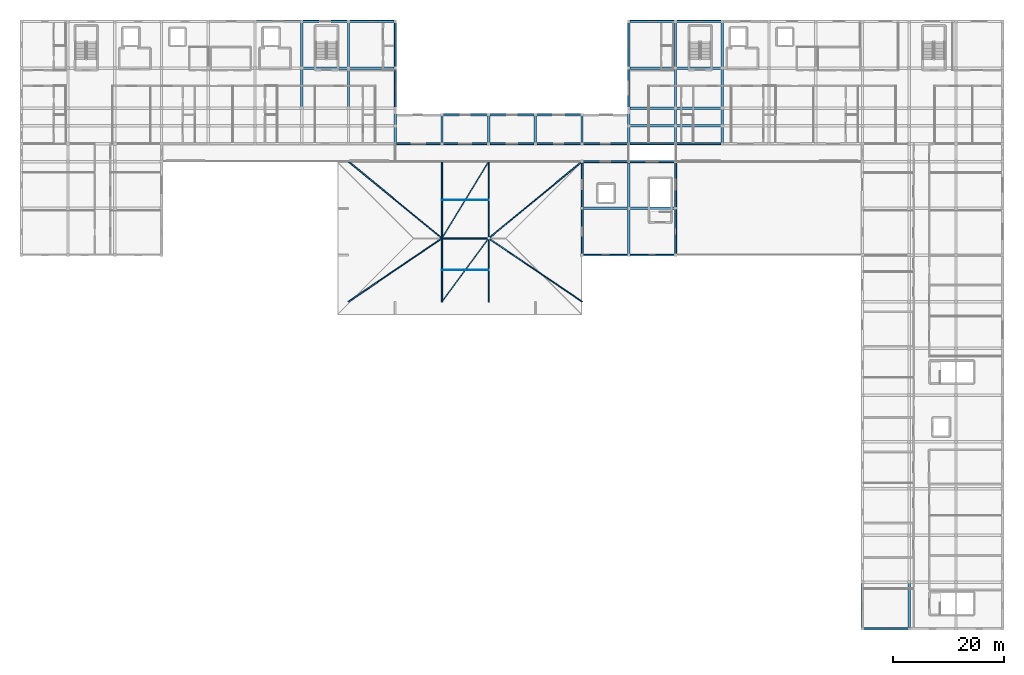
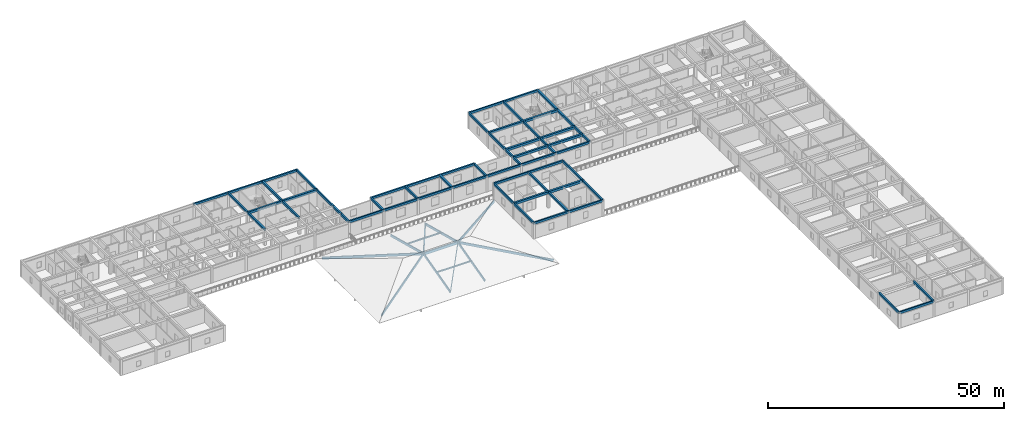
# One storey, part 4 of 28: 63 beams, 12 members.
"""IFC4 building model written with IfcOpenShell, lengths in metres."""

from ifc_helpers import new_model, si_unit, direction, frame, origin, origin_2d, place, context, subcontext, project, spatial, rectangle, hollow_rectangle, extrude, material, material_profile, profile_set, type_object, element, save


model = new_model("IFC4")

# Units and contexts
model_context = context("Model", 3, precision=1e-05, world=origin(), true_north=direction((0.0, 1.0)))
body_context = subcontext(model_context, "Body", "Model", "MODEL_VIEW")
ifc_project = project(units=[si_unit("LENGTHUNIT", "METRE"), si_unit("AREAUNIT", "SQUARE_METRE"), si_unit("VOLUMEUNIT", "CUBIC_METRE"), si_unit("PLANEANGLEUNIT", "RADIAN"), si_unit("MASSUNIT", "GRAM", prefix="KILO")], contexts=[model_context])

# Site, building, storey
site_placement = place(None, origin())
site = spatial("IfcSite", under=ifc_project, at=site_placement, CompositionType="ELEMENT")
building_placement = place(site_placement, origin())
building = spatial("IfcBuilding", under=site, at=building_placement, Name="Varncliffe General Hospital", CompositionType="ELEMENT")
storey_placement = place(building_placement, frame((0.0, 0.0, 24.60009765625)))
storey = spatial("IfcBuildingStorey", under=building, at=storey_placement, Name="L05", CompositionType="ELEMENT", Elevation=24.60009765625)

# Beams
ifc_material_1 = material(Name="Concrete C35/45 (CSA A23.1 35 MPa)", Category="concrete")
ifc_material_profile_1 = material_profile(ifc_material_1, rectangle(XDim=0.39990234375, YDim=0.550048828125, at=origin_2d()), Name="RC 400x550")
ifc_profile_set_1 = profile_set([ifc_material_profile_1], Name="Concrete C35/45 (CSA A23.1 35 MPa)")
beam_type_1 = type_object("IfcBeamType", Name="Beam B32 (Int RC 400x550)", PredefinedType="BEAM", material=ifc_profile_set_1)
beam_1_placement = place(storey_placement, frame((50.39990234375, 109.199951171875, 3.9248046875), z_axis=(0.0, 1.0, 0.0), x_axis=(-1.0, 0.0, 0.0)))
element("IfcBeam", 1, at=beam_1_placement, inside=storey, type_object=beam_type_1, Name="L05 Primary Beam B32-175", PredefinedType="BEAM", context=body_context, shape_type="SweptSolid", body=[
    extrude(rectangle(XDim=0.39990234375, YDim=0.550048828125, at=origin_2d()), origin(), (0.0, 0.0, 1.0), 7.199951171875),
])
beam_2_placement = place(storey_placement, frame((50.39990234375, 116.39990234375, 3.9248046875), z_axis=(0.0, 1.0, 0.0), x_axis=(-1.0, 0.0, 0.0)))
element("IfcBeam", 2, at=beam_2_placement, inside=storey, type_object=beam_type_1, Name="L05 Primary Beam B32-176", PredefinedType="BEAM", context=body_context, shape_type="SweptSolid", body=[
    extrude(rectangle(XDim=0.39990234375, YDim=0.550048828125, at=origin_2d()), origin(), (0.0, 0.0, 1.0), 8.400146484375),
])
beam_3_placement = place(storey_placement, frame((58.800048828125, 109.199951171875, 3.9248046875), z_axis=(0.0, 1.0, 0.0), x_axis=(-1.0, 0.0, 0.0)))
element("IfcBeam", 3, at=beam_3_placement, inside=storey, type_object=beam_type_1, Name="L05 Primary Beam B32-179", PredefinedType="BEAM", context=body_context, shape_type="SweptSolid", body=[
    extrude(rectangle(XDim=0.39990234375, YDim=0.550048828125, at=origin_2d()), origin(), (0.0, 0.0, 1.0), 7.199951171875),
])
beam_4_placement = place(storey_placement, frame((58.800048828125, 116.39990234375, 3.9248046875), z_axis=(0.0, 1.0, 0.0), x_axis=(-1.0, 0.0, 0.0)))
element("IfcBeam", 4, at=beam_4_placement, inside=storey, type_object=beam_type_1, Name="L05 Primary Beam B32-180", PredefinedType="BEAM", context=body_context, shape_type="SweptSolid", body=[
    extrude(rectangle(XDim=0.39990234375, YDim=0.550048828125, at=origin_2d()), origin(), (0.0, 0.0, 1.0), 8.400146484375),
])
for number, where, z_axis, x_axis, name in (
    (5, (67.199951171875, 102.800048828125, 3.9248046875), (0.0, 1.0, 0.0), (-1.0, 0.0, 0.0), "L05 Primary Beam B32-181"),
    (6, (67.199951171875, 106.0, 3.9248046875), (0.0, 1.0, 0.0), (-1.0, 0.0, 0.0), "L05 Primary Beam B32-182"),
):
    element("IfcBeam", number, at=place(storey_placement, frame(where, z_axis=z_axis, x_axis=x_axis)), inside=storey, type_object=beam_type_1, Name=name, PredefinedType="BEAM", context=body_context, shape_type="SweptSolid", body=[
        extrude(rectangle(XDim=0.39990234375, YDim=0.550048828125, at=origin_2d()), origin(), (0.0, 0.0, 1.0), 3.199951171875),
    ])
for number, where, z_axis, x_axis, name in (
    (7, (75.60009765625, 102.800048828125, 3.9248046875), (0.0, 1.0, 0.0), (-1.0, 0.0, 0.0), "L05 Primary Beam B32-185"),
    (8, (84.0, 102.800048828125, 3.9248046875), (0.0, 1.0, 0.0), (-1.0, 0.0, 0.0), "L05 Primary Beam B32-186"),
    (9, (92.39990234375, 102.800048828125, 3.9248046875), (0.0, 1.0, 0.0), (-1.0, 0.0, 0.0), "L05 Primary Beam B32-187"),
    (10, (100.800048828125, 102.800048828125, 3.9248046875), (0.0, 1.0, 0.0), (-1.0, 0.0, 0.0), "L05 Primary Beam B32-190"),
):
    element("IfcBeam", number, at=place(storey_placement, frame(where, z_axis=z_axis, x_axis=x_axis)), inside=storey, type_object=beam_type_1, Name=name, PredefinedType="BEAM", context=body_context, shape_type="SweptSolid", body=[
        extrude(rectangle(XDim=0.39990234375, YDim=0.550048828125, at=origin_2d()), origin(), (0.0, 0.0, 1.0), 5.199951171875),
    ])
beam_5_placement = place(storey_placement, frame((109.199951171875, 82.800048828125, 3.9248046875), z_axis=(0.0, 1.0, 0.0), x_axis=(-1.0, 0.0, 0.0)))
element("IfcBeam", 11, at=beam_5_placement, inside=storey, type_object=beam_type_1, Name="L05 Primary Beam B32-191", PredefinedType="BEAM", context=body_context, shape_type="SweptSolid", body=[
    extrude(rectangle(XDim=0.39990234375, YDim=0.550048828125, at=origin_2d()), origin(), (0.0, 0.0, 1.0), 8.39990234375),
])
beam_6_placement = place(storey_placement, frame((109.199951171875, 91.199951171875, 3.9248046875), z_axis=(0.0, 1.0, 0.0), x_axis=(-1.0, 0.0, 0.0)))
element("IfcBeam", 12, at=beam_6_placement, inside=storey, type_object=beam_type_1, Name="L05 Primary Beam B32-192", PredefinedType="BEAM", context=body_context, shape_type="SweptSolid", body=[
    extrude(rectangle(XDim=0.39990234375, YDim=0.550048828125, at=origin_2d()), origin(), (0.0, 0.0, 1.0), 8.400146484375),
])
for number, where, z_axis, x_axis, name in (
    (13, (109.199951171875, 102.800048828125, 3.9248046875), (0.0, 1.0, 0.0), (-1.0, 0.0, 0.0), "L05 Primary Beam B32-193"),
    (14, (109.199951171875, 106.0, 3.9248046875), (0.0, 1.0, 0.0), (-1.0, 0.0, 0.0), "L05 Primary Beam B32-194"),
    (15, (117.60009765625, 102.800048828125, 3.9248046875), (0.0, 1.0, 0.0), (-1.0, 0.0, 0.0), "L05 Primary Beam B32-199"),
    (16, (117.60009765625, 106.0, 3.9248046875), (0.0, 1.0, 0.0), (-1.0, 0.0, 0.0), "L05 Primary Beam B32-200"),
):
    element("IfcBeam", number, at=place(storey_placement, frame(where, z_axis=z_axis, x_axis=x_axis)), inside=storey, type_object=beam_type_1, Name=name, PredefinedType="BEAM", context=body_context, shape_type="SweptSolid", body=[
        extrude(rectangle(XDim=0.39990234375, YDim=0.550048828125, at=origin_2d()), origin(), (0.0, 0.0, 1.0), 3.199951171875),
    ])
beam_7_placement = place(storey_placement, frame((117.60009765625, 109.199951171875, 3.9248046875), z_axis=(0.0, 1.0, 0.0), x_axis=(-1.0, 0.0, 0.0)))
element("IfcBeam", 17, at=beam_7_placement, inside=storey, type_object=beam_type_1, Name="L05 Primary Beam B32-201", PredefinedType="BEAM", context=body_context, shape_type="SweptSolid", body=[
    extrude(rectangle(XDim=0.39990234375, YDim=0.550048828125, at=origin_2d()), origin(), (0.0, 0.0, 1.0), 7.199951171875),
])
beam_8_placement = place(storey_placement, frame((117.60009765625, 116.39990234375, 3.9248046875), z_axis=(0.0, 1.0, 0.0), x_axis=(-1.0, 0.0, 0.0)))
element("IfcBeam", 18, at=beam_8_placement, inside=storey, type_object=beam_type_1, Name="L05 Primary Beam B32-202", PredefinedType="BEAM", context=body_context, shape_type="SweptSolid", body=[
    extrude(rectangle(XDim=0.39990234375, YDim=0.550048828125, at=origin_2d()), origin(), (0.0, 0.0, 1.0), 8.400146484375),
])
for number, where, z_axis, x_axis, name in (
    (19, (126.0, 102.800048828125, 3.9248046875), (0.0, 1.0, 0.0), (-1.0, 0.0, 0.0), "L05 Primary Beam B32-203"),
    (20, (126.0, 106.0, 3.9248046875), (0.0, 1.0, 0.0), (-1.0, 0.0, 0.0), "L05 Primary Beam B32-204"),
):
    element("IfcBeam", number, at=place(storey_placement, frame(where, z_axis=z_axis, x_axis=x_axis)), inside=storey, type_object=beam_type_1, Name=name, PredefinedType="BEAM", context=body_context, shape_type="SweptSolid", body=[
        extrude(rectangle(XDim=0.39990234375, YDim=0.550048828125, at=origin_2d()), origin(), (0.0, 0.0, 1.0), 3.199951171875),
    ])
beam_9_placement = place(storey_placement, frame((126.0, 109.199951171875, 3.9248046875), z_axis=(0.0, 1.0, 0.0), x_axis=(-1.0, 0.0, 0.0)))
element("IfcBeam", 21, at=beam_9_placement, inside=storey, type_object=beam_type_1, Name="L05 Primary Beam B32-205", PredefinedType="BEAM", context=body_context, shape_type="SweptSolid", body=[
    extrude(rectangle(XDim=0.39990234375, YDim=0.550048828125, at=origin_2d()), origin(), (0.0, 0.0, 1.0), 7.199951171875),
])
beam_10_placement = place(storey_placement, frame((126.0, 116.39990234375, 3.9248046875), z_axis=(0.0, 1.0, 0.0), x_axis=(-1.0, 0.0, 0.0)))
element("IfcBeam", 22, at=beam_10_placement, inside=storey, type_object=beam_type_1, Name="L05 Primary Beam B32-206", PredefinedType="BEAM", context=body_context, shape_type="SweptSolid", body=[
    extrude(rectangle(XDim=0.39990234375, YDim=0.550048828125, at=origin_2d()), origin(), (0.0, 0.0, 1.0), 8.400146484375),
])
beam_11_placement = place(storey_placement, frame((159.60009765625, 15.60009765625, 3.9248046875), z_axis=(0.0, 1.0, 0.0), x_axis=(-1.0, 0.0, 0.0)))
element("IfcBeam", 23, at=beam_11_placement, inside=storey, type_object=beam_type_1, Name="L05 Primary Beam B32-230", PredefinedType="BEAM", context=body_context, shape_type="SweptSolid", body=[
    extrude(rectangle(XDim=0.39990234375, YDim=0.550048828125, at=origin_2d()), origin(), (0.0, 0.0, 1.0), 8.39990234375),
])
ifc_material_profile_2 = material_profile(ifc_material_1, rectangle(XDim=0.449951171875, YDim=0.60009765625, at=origin_2d()), Name="RC 450x600")
ifc_profile_set_2 = profile_set([ifc_material_profile_2], Name="Concrete C35/45 (CSA A23.1 35 MPa)")
beam_type_2 = type_object("IfcBeamType", Name="Beam B47 (Int RC 450x600)", PredefinedType="BEAM", material=ifc_profile_set_2)
beam_12_placement = place(storey_placement, frame((100.800048828125, 91.199951171875, 3.89990234375), z_axis=(1.0, 0.0, 0.0), x_axis=(0.0, 1.0, 0.0)))
element("IfcBeam", 24, at=beam_12_placement, inside=storey, type_object=beam_type_2, Name="L05 Primary Beam B47-36", PredefinedType="BEAM", context=body_context, shape_type="SweptSolid", body=[
    extrude(rectangle(XDim=0.449951171875, YDim=0.60009765625, at=origin_2d()), origin(), (0.0, 0.0, 1.0), 8.39990234375),
])
for number, where, z_axis, x_axis, name in (
    (25, (109.199951171875, 91.199951171875, 3.89990234375), (1.0, 0.0, 0.0), (0.0, 1.0, 0.0), "L05 Primary Beam B47-37"),
    (26, (109.199951171875, 106.0, 3.89990234375), (1.0, 0.0, 0.0), (0.0, 1.0, 0.0), "L05 Primary Beam B47-78"),
):
    element("IfcBeam", number, at=place(storey_placement, frame(where, z_axis=z_axis, x_axis=x_axis)), inside=storey, type_object=beam_type_2, Name=name, PredefinedType="BEAM", context=body_context, shape_type="SweptSolid", body=[
        extrude(rectangle(XDim=0.449951171875, YDim=0.60009765625, at=origin_2d()), origin(), (0.0, 0.0, 1.0), 8.400146484375),
    ])
beam_13_placement = place(storey_placement, frame((117.60009765625, 106.0, 3.89990234375), z_axis=(1.0, 0.0, 0.0), x_axis=(0.0, 1.0, 0.0)))
element("IfcBeam", 27, at=beam_13_placement, inside=storey, type_object=beam_type_2, Name="L05 Primary Beam B47-79", PredefinedType="BEAM", context=body_context, shape_type="SweptSolid", body=[
    extrude(rectangle(XDim=0.449951171875, YDim=0.60009765625, at=origin_2d()), origin(), (0.0, 0.0, 1.0), 8.39990234375),
])
beam_14_placement = place(storey_placement, frame((109.199951171875, 109.199951171875, 3.89990234375), z_axis=(1.0, 0.0, 0.0), x_axis=(0.0, 1.0, 0.0)))
element("IfcBeam", 28, at=beam_14_placement, inside=storey, type_object=beam_type_2, Name="L05 Primary Beam B47-97", PredefinedType="BEAM", context=body_context, shape_type="SweptSolid", body=[
    extrude(rectangle(XDim=0.449951171875, YDim=0.60009765625, at=origin_2d()), origin(), (0.0, 0.0, 1.0), 8.400146484375),
])
beam_15_placement = place(storey_placement, frame((117.60009765625, 109.199951171875, 3.89990234375), z_axis=(1.0, 0.0, 0.0), x_axis=(0.0, 1.0, 0.0)))
element("IfcBeam", 29, at=beam_15_placement, inside=storey, type_object=beam_type_2, Name="L05 Primary Beam B47-98", PredefinedType="BEAM", context=body_context, shape_type="SweptSolid", body=[
    extrude(rectangle(XDim=0.449951171875, YDim=0.60009765625, at=origin_2d()), origin(), (0.0, 0.0, 1.0), 8.39990234375),
])
beam_16_placement = place(storey_placement, frame((50.39990234375, 116.39990234375, 3.89990234375), z_axis=(1.0, 0.0, 0.0), x_axis=(0.0, 1.0, 0.0)))
element("IfcBeam", 30, at=beam_16_placement, inside=storey, type_object=beam_type_2, Name="L05 Primary Beam B47-111", PredefinedType="BEAM", context=body_context, shape_type="SweptSolid", body=[
    extrude(rectangle(XDim=0.449951171875, YDim=0.60009765625, at=origin_2d()), origin(), (0.0, 0.0, 1.0), 8.400146484375),
])
beam_17_placement = place(storey_placement, frame((58.800048828125, 116.39990234375, 3.89990234375), z_axis=(1.0, 0.0, 0.0), x_axis=(0.0, 1.0, 0.0)))
element("IfcBeam", 31, at=beam_17_placement, inside=storey, type_object=beam_type_2, Name="L05 Primary Beam B47-112", PredefinedType="BEAM", context=body_context, shape_type="SweptSolid", body=[
    extrude(rectangle(XDim=0.449951171875, YDim=0.60009765625, at=origin_2d()), origin(), (0.0, 0.0, 1.0), 8.39990234375),
])
beam_18_placement = place(storey_placement, frame((109.199951171875, 116.39990234375, 3.89990234375), z_axis=(1.0, 0.0, 0.0), x_axis=(0.0, 1.0, 0.0)))
element("IfcBeam", 32, at=beam_18_placement, inside=storey, type_object=beam_type_2, Name="L05 Primary Beam B47-113", PredefinedType="BEAM", context=body_context, shape_type="SweptSolid", body=[
    extrude(rectangle(XDim=0.449951171875, YDim=0.60009765625, at=origin_2d()), origin(), (0.0, 0.0, 1.0), 8.400146484375),
])
beam_19_placement = place(storey_placement, frame((117.60009765625, 116.39990234375, 3.89990234375), z_axis=(1.0, 0.0, 0.0), x_axis=(0.0, 1.0, 0.0)))
element("IfcBeam", 33, at=beam_19_placement, inside=storey, type_object=beam_type_2, Name="L05 Primary Beam B47-114", PredefinedType="BEAM", context=body_context, shape_type="SweptSolid", body=[
    extrude(rectangle(XDim=0.449951171875, YDim=0.60009765625, at=origin_2d()), origin(), (0.0, 0.0, 1.0), 8.39990234375),
])
ifc_material_2 = material(Name="Glulam GL28h (CSA O86 24f-EX, 30 MPa)", Category="wood")
ifc_material_profile_3 = material_profile(ifc_material_2, rectangle(XDim=0.264892578125, YDim=0.68408203125, at=origin_2d()), Name="GL 265x684")
ifc_profile_set_3 = profile_set([ifc_material_profile_3], Name="Glulam GL28h (CSA O86 24f-EX, 30 MPa)")
beam_type_3 = type_object("IfcBeamType", Name="Beam B72 (Int GL 265x684)", PredefinedType="BEAM", material=ifc_profile_set_3)
beam_20_placement = place(storey_placement, frame((75.43994140625, 85.800048828125, 3.020751953125), z_axis=(1.0, 0.0, 0.0), x_axis=(0.0, 1.0, 0.0)))
element("IfcBeam", 34, at=beam_20_placement, inside=storey, type_object=beam_type_3, Name="L05 RF-V4-OR Glulam Ridge Girder", PredefinedType="BEAM", context=body_context, shape_type="SweptSolid", body=[
    extrude(rectangle(XDim=0.264892578125, YDim=0.68408203125, at=origin_2d()), origin(), (0.0, 0.0, 1.0), 8.719970703125),
])

# Members
ifc_material_profile_4 = material_profile(ifc_material_2, rectangle(XDim=0.215087890625, YDim=0.60791015625, at=origin_2d()), Name="GL 215x608")
ifc_profile_set_4 = profile_set([ifc_material_profile_4], Name="Glulam GL28h (CSA O86 24f-EX, 30 MPa)")
member_type_1 = type_object("IfcMemberType", Name="Member MB20 (RAFTER Int GL 215x608)", PredefinedType="RAFTER", material=ifc_profile_set_4)
member_1_placement = place(storey_placement, frame((58.800048828125, 74.39990234375, -0.0322265625), z_axis=(0.81793090741, 0.555034332228, 0.151413079855), x_axis=(-0.561508198432, 0.827471173572, 0.0)))
element("IfcMember", 35, at=member_1_placement, inside=storey, type_object=member_type_1, Name="L05 RF-V4-OR Hip Rafter SW", PredefinedType="RAFTER", context=body_context, shape_type="SweptSolid", body=[
    extrude(rectangle(XDim=0.215087890625, YDim=0.60791015625, at=origin_2d()), origin(), (0.0, 0.0, 1.0), 20.489013671875),
])
member_2_placement = place(storey_placement, frame((58.800048828125, 99.60009765625, -0.56005859375), z_axis=(0.762132075503, -0.626044198415, 0.164995033621), x_axis=(0.634743743747, 0.772722705616, 0.0)))
element("IfcMember", 36, at=member_2_placement, inside=storey, type_object=member_type_1, Name="L05 RF-V4-OR Hip Rafter NW", PredefinedType="RAFTER", context=body_context, shape_type="SweptSolid", body=[
    extrude(rectangle(XDim=0.215087890625, YDim=0.60791015625, at=origin_2d()), origin(), (0.0, 0.0, 1.0), 21.992431640625),
])
member_3_placement = place(storey_placement, frame((100.800048828125, 74.39990234375, -0.560791015625), z_axis=(-0.814494243906, 0.55270226944, 0.176406711888), x_axis=(-0.561508198432, -0.827471173572, 0.0)))
element("IfcMember", 37, at=member_3_placement, inside=storey, type_object=member_type_1, Name="L05 RF-V4-OR Hip Rafter SE", PredefinedType="RAFTER", context=body_context, shape_type="SweptSolid", body=[
    extrude(rectangle(XDim=0.215087890625, YDim=0.60791015625, at=origin_2d()), origin(), (0.0, 0.0, 1.0), 20.575439453125),
])
member_4_placement = place(storey_placement, frame((100.800048828125, 99.60009765625, -0.56005859375), z_axis=(-0.762136728505, -0.626038901814, 0.164993637692), x_axis=(0.634738223259, -0.772727240321, 0.0)))
element("IfcMember", 38, at=member_4_placement, inside=storey, type_object=member_type_1, Name="L05 RF-V4-OR Hip Rafter NE", PredefinedType="RAFTER", context=body_context, shape_type="SweptSolid", body=[
    extrude(rectangle(XDim=0.215087890625, YDim=0.60791015625, at=origin_2d()), origin(), (0.0, 0.0, 1.0), 21.99267578125),
])
member_5_placement = place(storey_placement, frame((75.60009765625, 74.39990234375, 0.06640625), z_axis=(0.0, 0.966984408335, 0.254835543121), x_axis=(-1.0, 0.0, 0.0)))
element("IfcMember", 39, at=member_5_placement, inside=storey, type_object=member_type_1, Name="L05 RF-V4-OR South Sloped Glulam Rafter 1", PredefinedType="RAFTER", context=body_context, shape_type="SweptSolid", body=[
    extrude(rectangle(XDim=0.215087890625, YDim=0.60791015625, at=origin_2d()), origin(), (0.0, 0.0, 1.0), 11.727294921875),
])
member_6_placement = place(storey_placement, frame((75.60009765625, 99.60009765625, -0.566162109375), z_axis=(0.0, -0.966982555241, 0.254842574661), x_axis=(1.0, 0.0, 0.0)))
element("IfcMember", 40, at=member_6_placement, inside=storey, type_object=member_type_1, Name="L05 RF-V4-OR North Sloped Glulam Rafter 1", PredefinedType="RAFTER", context=body_context, shape_type="SweptSolid", body=[
    extrude(rectangle(XDim=0.215087890625, YDim=0.60791015625, at=origin_2d()), origin(), (0.0, 0.0, 1.0), 14.209228515625),
])
member_7_placement = place(storey_placement, frame((84.0, 74.39990234375, 0.06640625), z_axis=(0.0, 0.966984408335, 0.254835543121), x_axis=(-1.0, 0.0, 0.0)))
element("IfcMember", 41, at=member_7_placement, inside=storey, type_object=member_type_1, Name="L05 RF-V4-OR South Sloped Glulam Rafter 2", PredefinedType="RAFTER", context=body_context, shape_type="SweptSolid", body=[
    extrude(rectangle(XDim=0.215087890625, YDim=0.60791015625, at=origin_2d()), origin(), (0.0, 0.0, 1.0), 11.727294921875),
])
member_8_placement = place(storey_placement, frame((84.0, 99.60009765625, -0.566162109375), z_axis=(0.0, -0.966982555241, 0.254842574661), x_axis=(1.0, 0.0, 0.0)))
element("IfcMember", 42, at=member_8_placement, inside=storey, type_object=member_type_1, Name="L05 RF-V4-OR North Sloped Glulam Rafter 2", PredefinedType="RAFTER", context=body_context, shape_type="SweptSolid", body=[
    extrude(rectangle(XDim=0.215087890625, YDim=0.60791015625, at=origin_2d()), origin(), (0.0, 0.0, 1.0), 14.209228515625),
])
ifc_material_profile_5 = material_profile(ifc_material_2, rectangle(XDim=0.1298828125, YDim=0.342041015625, at=origin_2d()), Name="GL 130x342")
ifc_profile_set_5 = profile_set([ifc_material_profile_5], Name="Glulam GL28h (CSA O86 24f-EX, 30 MPa)")
member_type_2 = type_object("IfcMemberType", Name="Member MB31 (PURLIN Int GL 130x342)", PredefinedType="PURLIN", material=ifc_profile_set_5)
for number, where, z_axis, x_axis, name in (
    (43, (75.60009765625, 80.10009765625, 1.71484375), (1.0, 0.0, 0.0), (0.0, 1.0, 0.0), "L05 RF-V4-OR Timber Purlin S1"),
    (44, (75.60009765625, 92.699951171875, 1.398681640625), (1.0, 0.0, 0.0), (0.0, 1.0, 0.0), "L05 RF-V4-OR Timber Purlin N1"),
):
    element("IfcMember", number, at=place(storey_placement, frame(where, z_axis=z_axis, x_axis=x_axis)), inside=storey, type_object=member_type_2, Name=name, PredefinedType="PURLIN", context=body_context, shape_type="SweptSolid", body=[
        extrude(rectangle(XDim=0.1298828125, YDim=0.342041015625, at=origin_2d()), origin(), (0.0, 0.0, 1.0), 8.39990234375),
    ])
ifc_material_3 = material(Name="Steel S355 (CSA G40.21 350W)", Category="steel")
ifc_material_profile_6 = material_profile(ifc_material_3, hollow_rectangle(XDim=0.202880859375, YDim=0.202880859375, WallThickness=0.009521484375, InnerFilletRadius=0.010009765625, OuterFilletRadius=0.01904296875, at=origin_2d()), Name="HSS 203x203x9.5")
ifc_profile_set_6 = profile_set([ifc_material_profile_6], Name="Steel S355 (CSA G40.21 350W)")
member_type_3 = type_object("IfcMemberType", Name="Member MB87 (BRACE Int HSS 203x203x9.5)", PredefinedType="BRACE", material=ifc_profile_set_6)
member_9_placement = place(storey_placement, frame((75.60009765625, 74.39990234375, 0.06640625), z_axis=(0.580686395393, 0.78809368229, 0.204234321649), x_axis=(-0.805062770793, 0.593189628267, 0.0)))
element("IfcMember", 45, at=member_9_placement, inside=storey, type_object=member_type_3, Name="L05 RF-V4-OR Lateral Wind Brace 1", PredefinedType="BRACE", context=body_context, shape_type="SweptSolid", body=[
    extrude(hollow_rectangle(XDim=0.202880859375, YDim=0.202880859375, WallThickness=0.009521484375, InnerFilletRadius=0.010009765625, OuterFilletRadius=0.01904296875, at=origin_2d()), origin(), (0.0, 0.0, 1.0), 14.465576171875),
])
member_10_placement = place(storey_placement, frame((84.0, 99.60009765625, -0.566162109375), z_axis=(-0.507581105924, -0.833895890612, 0.216746544447), x_axis=(0.854202057395, -0.519941193927, 0.0)))
element("IfcMember", 46, at=member_10_placement, inside=storey, type_object=member_type_3, Name="L05 RF-V4-OR Lateral Wind Brace 2", PredefinedType="BRACE", context=body_context, shape_type="SweptSolid", body=[
    extrude(hollow_rectangle(XDim=0.202880859375, YDim=0.202880859375, WallThickness=0.009521484375, InnerFilletRadius=0.010009765625, OuterFilletRadius=0.01904296875, at=origin_2d()), origin(), (0.0, 0.0, 1.0), 16.548828125),
])

# Beams
ifc_material_profile_7 = material_profile(ifc_material_1, rectangle(XDim=0.35009765625, YDim=0.550048828125, at=origin_2d()), Name="RC 350x550")
ifc_profile_set_7 = profile_set([ifc_material_profile_7], Name="Concrete C35/45 (CSA A23.1 35 MPa)")
beam_type_4 = type_object("IfcBeamType", Name="Spandrel SP20 (Ext RC 350x550)", PredefinedType="SPANDREL", material=ifc_profile_set_7)
beam_21_placement = place(storey_placement, frame((151.199951171875, 15.60009765625, 3.9248046875), z_axis=(1.0, 0.0, 0.0), x_axis=(0.0, 1.0, 0.0)))
element("IfcBeam", 47, at=beam_21_placement, inside=storey, type_object=beam_type_4, Name="L05 Spandrel Beam SP20-1", PredefinedType="SPANDREL", context=body_context, shape_type="SweptSolid", body=[
    extrude(rectangle(XDim=0.35009765625, YDim=0.550048828125, at=origin_2d()), origin(), (0.0, 0.0, 1.0), 8.400146484375),
])
beam_22_placement = place(storey_placement, frame((100.800048828125, 82.800048828125, 3.9248046875), z_axis=(1.0, 0.0, 0.0), x_axis=(0.0, 1.0, 0.0)))
element("IfcBeam", 48, at=beam_22_placement, inside=storey, type_object=beam_type_4, Name="L05 Spandrel Beam SP20-28", PredefinedType="SPANDREL", context=body_context, shape_type="SweptSolid", body=[
    extrude(rectangle(XDim=0.35009765625, YDim=0.550048828125, at=origin_2d()), origin(), (0.0, 0.0, 1.0), 8.39990234375),
])
beam_23_placement = place(storey_placement, frame((109.199951171875, 82.800048828125, 3.9248046875), z_axis=(1.0, 0.0, 0.0), x_axis=(0.0, 1.0, 0.0)))
element("IfcBeam", 49, at=beam_23_placement, inside=storey, type_object=beam_type_4, Name="L05 Spandrel Beam SP20-29", PredefinedType="SPANDREL", context=body_context, shape_type="SweptSolid", body=[
    extrude(rectangle(XDim=0.35009765625, YDim=0.550048828125, at=origin_2d()), origin(), (0.0, 0.0, 1.0), 8.400146484375),
])
beam_24_placement = place(storey_placement, frame((100.800048828125, 99.60009765625, 3.9248046875), z_axis=(1.0, 0.0, 0.0), x_axis=(0.0, 1.0, 0.0)))
element("IfcBeam", 50, at=beam_24_placement, inside=storey, type_object=beam_type_4, Name="L05 Spandrel Beam SP20-44", PredefinedType="SPANDREL", context=body_context, shape_type="SweptSolid", body=[
    extrude(rectangle(XDim=0.35009765625, YDim=0.550048828125, at=origin_2d()), origin(), (0.0, 0.0, 1.0), 8.39990234375),
])
for number, where, z_axis, x_axis, name in (
    (51, (109.199951171875, 99.60009765625, 3.9248046875), (1.0, 0.0, 0.0), (0.0, 1.0, 0.0), "L05 Spandrel Beam SP20-45"),
    (52, (67.199951171875, 102.800048828125, 3.9248046875), (1.0, 0.0, 0.0), (0.0, 1.0, 0.0), "L05 Spandrel Beam SP20-57"),
):
    element("IfcBeam", number, at=place(storey_placement, frame(where, z_axis=z_axis, x_axis=x_axis)), inside=storey, type_object=beam_type_4, Name=name, PredefinedType="SPANDREL", context=body_context, shape_type="SweptSolid", body=[
        extrude(rectangle(XDim=0.35009765625, YDim=0.550048828125, at=origin_2d()), origin(), (0.0, 0.0, 1.0), 8.400146484375),
    ])
for number, where, z_axis, x_axis, name in (
    (53, (75.60009765625, 102.800048828125, 3.9248046875), (1.0, 0.0, 0.0), (0.0, 1.0, 0.0), "L05 Spandrel Beam SP20-58"),
    (54, (84.0, 102.800048828125, 3.9248046875), (1.0, 0.0, 0.0), (0.0, 1.0, 0.0), "L05 Spandrel Beam SP20-59"),
):
    element("IfcBeam", number, at=place(storey_placement, frame(where, z_axis=z_axis, x_axis=x_axis)), inside=storey, type_object=beam_type_4, Name=name, PredefinedType="SPANDREL", context=body_context, shape_type="SweptSolid", body=[
        extrude(rectangle(XDim=0.35009765625, YDim=0.550048828125, at=origin_2d()), origin(), (0.0, 0.0, 1.0), 8.39990234375),
    ])
beam_25_placement = place(storey_placement, frame((92.39990234375, 102.800048828125, 3.9248046875), z_axis=(1.0, 0.0, 0.0), x_axis=(0.0, 1.0, 0.0)))
element("IfcBeam", 55, at=beam_25_placement, inside=storey, type_object=beam_type_4, Name="L05 Spandrel Beam SP20-60", PredefinedType="SPANDREL", context=body_context, shape_type="SweptSolid", body=[
    extrude(rectangle(XDim=0.35009765625, YDim=0.550048828125, at=origin_2d()), origin(), (0.0, 0.0, 1.0), 8.400146484375),
])
beam_26_placement = place(storey_placement, frame((100.800048828125, 102.800048828125, 3.9248046875), z_axis=(1.0, 0.0, 0.0), x_axis=(0.0, 1.0, 0.0)))
element("IfcBeam", 56, at=beam_26_placement, inside=storey, type_object=beam_type_4, Name="L05 Spandrel Beam SP20-61", PredefinedType="SPANDREL", context=body_context, shape_type="SweptSolid", body=[
    extrude(rectangle(XDim=0.35009765625, YDim=0.550048828125, at=origin_2d()), origin(), (0.0, 0.0, 1.0), 8.39990234375),
])
beam_27_placement = place(storey_placement, frame((109.199951171875, 102.800048828125, 3.9248046875), z_axis=(1.0, 0.0, 0.0), x_axis=(0.0, 1.0, 0.0)))
element("IfcBeam", 57, at=beam_27_placement, inside=storey, type_object=beam_type_4, Name="L05 Spandrel Beam SP20-62", PredefinedType="SPANDREL", context=body_context, shape_type="SweptSolid", body=[
    extrude(rectangle(XDim=0.35009765625, YDim=0.550048828125, at=origin_2d()), origin(), (0.0, 0.0, 1.0), 8.400146484375),
])
for number, where, z_axis, x_axis, name in (
    (58, (117.60009765625, 102.800048828125, 3.9248046875), (1.0, 0.0, 0.0), (0.0, 1.0, 0.0), "L05 Spandrel Beam SP20-63"),
    (59, (75.60009765625, 108.0, 3.9248046875), (1.0, 0.0, 0.0), (0.0, 1.0, 0.0), "L05 Spandrel Beam SP20-86"),
    (60, (84.0, 108.0, 3.9248046875), (1.0, 0.0, 0.0), (0.0, 1.0, 0.0), "L05 Spandrel Beam SP20-87"),
):
    element("IfcBeam", number, at=place(storey_placement, frame(where, z_axis=z_axis, x_axis=x_axis)), inside=storey, type_object=beam_type_4, Name=name, PredefinedType="SPANDREL", context=body_context, shape_type="SweptSolid", body=[
        extrude(rectangle(XDim=0.35009765625, YDim=0.550048828125, at=origin_2d()), origin(), (0.0, 0.0, 1.0), 8.39990234375),
    ])
beam_28_placement = place(storey_placement, frame((92.39990234375, 108.0, 3.9248046875), z_axis=(1.0, 0.0, 0.0), x_axis=(0.0, 1.0, 0.0)))
element("IfcBeam", 61, at=beam_28_placement, inside=storey, type_object=beam_type_4, Name="L05 Spandrel Beam SP20-88", PredefinedType="SPANDREL", context=body_context, shape_type="SweptSolid", body=[
    extrude(rectangle(XDim=0.35009765625, YDim=0.550048828125, at=origin_2d()), origin(), (0.0, 0.0, 1.0), 8.400146484375),
])
beam_29_placement = place(storey_placement, frame((42.0, 124.800048828125, 3.9248046875), z_axis=(1.0, 0.0, 0.0), x_axis=(0.0, 1.0, 0.0)))
element("IfcBeam", 62, at=beam_29_placement, inside=storey, type_object=beam_type_4, Name="L05 Spandrel Beam SP20-126", PredefinedType="SPANDREL", context=body_context, shape_type="SweptSolid", body=[
    extrude(rectangle(XDim=0.35009765625, YDim=0.550048828125, at=origin_2d()), origin(), (0.0, 0.0, 1.0), 8.39990234375),
])
beam_30_placement = place(storey_placement, frame((50.39990234375, 124.800048828125, 3.9248046875), z_axis=(1.0, 0.0, 0.0), x_axis=(0.0, 1.0, 0.0)))
element("IfcBeam", 63, at=beam_30_placement, inside=storey, type_object=beam_type_4, Name="L05 Spandrel Beam SP20-127", PredefinedType="SPANDREL", context=body_context, shape_type="SweptSolid", body=[
    extrude(rectangle(XDim=0.35009765625, YDim=0.550048828125, at=origin_2d()), origin(), (0.0, 0.0, 1.0), 8.400146484375),
])
beam_31_placement = place(storey_placement, frame((58.800048828125, 124.800048828125, 3.9248046875), z_axis=(1.0, 0.0, 0.0), x_axis=(0.0, 1.0, 0.0)))
element("IfcBeam", 64, at=beam_31_placement, inside=storey, type_object=beam_type_4, Name="L05 Spandrel Beam SP20-128", PredefinedType="SPANDREL", context=body_context, shape_type="SweptSolid", body=[
    extrude(rectangle(XDim=0.35009765625, YDim=0.550048828125, at=origin_2d()), origin(), (0.0, 0.0, 1.0), 8.39990234375),
])
beam_32_placement = place(storey_placement, frame((109.199951171875, 124.800048828125, 3.9248046875), z_axis=(1.0, 0.0, 0.0), x_axis=(0.0, 1.0, 0.0)))
element("IfcBeam", 65, at=beam_32_placement, inside=storey, type_object=beam_type_4, Name="L05 Spandrel Beam SP20-129", PredefinedType="SPANDREL", context=body_context, shape_type="SweptSolid", body=[
    extrude(rectangle(XDim=0.35009765625, YDim=0.550048828125, at=origin_2d()), origin(), (0.0, 0.0, 1.0), 8.400146484375),
])
beam_33_placement = place(storey_placement, frame((117.60009765625, 124.800048828125, 3.9248046875), z_axis=(1.0, 0.0, 0.0), x_axis=(0.0, 1.0, 0.0)))
element("IfcBeam", 66, at=beam_33_placement, inside=storey, type_object=beam_type_4, Name="L05 Spandrel Beam SP20-130", PredefinedType="SPANDREL", context=body_context, shape_type="SweptSolid", body=[
    extrude(rectangle(XDim=0.35009765625, YDim=0.550048828125, at=origin_2d()), origin(), (0.0, 0.0, 1.0), 8.39990234375),
])
beam_34_placement = place(storey_placement, frame((67.199951171875, 109.199951171875, 3.9248046875), z_axis=(0.0, 1.0, 0.0), x_axis=(-1.0, 0.0, 0.0)))
element("IfcBeam", 67, at=beam_34_placement, inside=storey, type_object=beam_type_4, Name="L05 Spandrel Beam SP20-183", PredefinedType="SPANDREL", context=body_context, shape_type="SweptSolid", body=[
    extrude(rectangle(XDim=0.35009765625, YDim=0.550048828125, at=origin_2d()), origin(), (0.0, 0.0, 1.0), 7.199951171875),
])
beam_35_placement = place(storey_placement, frame((67.199951171875, 116.39990234375, 3.9248046875), z_axis=(0.0, 1.0, 0.0), x_axis=(-1.0, 0.0, 0.0)))
element("IfcBeam", 68, at=beam_35_placement, inside=storey, type_object=beam_type_4, Name="L05 Spandrel Beam SP20-184", PredefinedType="SPANDREL", context=body_context, shape_type="SweptSolid", body=[
    extrude(rectangle(XDim=0.35009765625, YDim=0.550048828125, at=origin_2d()), origin(), (0.0, 0.0, 1.0), 8.400146484375),
])
beam_36_placement = place(storey_placement, frame((100.800048828125, 82.800048828125, 3.9248046875), z_axis=(0.0, 1.0, 0.0), x_axis=(-1.0, 0.0, 0.0)))
element("IfcBeam", 69, at=beam_36_placement, inside=storey, type_object=beam_type_4, Name="L05 Spandrel Beam SP20-188", PredefinedType="SPANDREL", context=body_context, shape_type="SweptSolid", body=[
    extrude(rectangle(XDim=0.35009765625, YDim=0.550048828125, at=origin_2d()), origin(), (0.0, 0.0, 1.0), 8.39990234375),
])
beam_37_placement = place(storey_placement, frame((100.800048828125, 91.199951171875, 3.9248046875), z_axis=(0.0, 1.0, 0.0), x_axis=(-1.0, 0.0, 0.0)))
element("IfcBeam", 70, at=beam_37_placement, inside=storey, type_object=beam_type_4, Name="L05 Spandrel Beam SP20-189", PredefinedType="SPANDREL", context=body_context, shape_type="SweptSolid", body=[
    extrude(rectangle(XDim=0.35009765625, YDim=0.550048828125, at=origin_2d()), origin(), (0.0, 0.0, 1.0), 8.400146484375),
])
beam_38_placement = place(storey_placement, frame((109.199951171875, 109.199951171875, 3.9248046875), z_axis=(0.0, 1.0, 0.0), x_axis=(-1.0, 0.0, 0.0)))
element("IfcBeam", 71, at=beam_38_placement, inside=storey, type_object=beam_type_4, Name="L05 Spandrel Beam SP20-195", PredefinedType="SPANDREL", context=body_context, shape_type="SweptSolid", body=[
    extrude(rectangle(XDim=0.35009765625, YDim=0.550048828125, at=origin_2d()), origin(), (0.0, 0.0, 1.0), 7.199951171875),
])
beam_39_placement = place(storey_placement, frame((109.199951171875, 116.39990234375, 3.9248046875), z_axis=(0.0, 1.0, 0.0), x_axis=(-1.0, 0.0, 0.0)))
element("IfcBeam", 72, at=beam_39_placement, inside=storey, type_object=beam_type_4, Name="L05 Spandrel Beam SP20-196", PredefinedType="SPANDREL", context=body_context, shape_type="SweptSolid", body=[
    extrude(rectangle(XDim=0.35009765625, YDim=0.550048828125, at=origin_2d()), origin(), (0.0, 0.0, 1.0), 8.400146484375),
])
beam_40_placement = place(storey_placement, frame((117.60009765625, 82.800048828125, 3.9248046875), z_axis=(0.0, 1.0, 0.0), x_axis=(-1.0, 0.0, 0.0)))
element("IfcBeam", 73, at=beam_40_placement, inside=storey, type_object=beam_type_4, Name="L05 Spandrel Beam SP20-197", PredefinedType="SPANDREL", context=body_context, shape_type="SweptSolid", body=[
    extrude(rectangle(XDim=0.35009765625, YDim=0.550048828125, at=origin_2d()), origin(), (0.0, 0.0, 1.0), 8.39990234375),
])
beam_41_placement = place(storey_placement, frame((117.60009765625, 91.199951171875, 3.9248046875), z_axis=(0.0, 1.0, 0.0), x_axis=(-1.0, 0.0, 0.0)))
element("IfcBeam", 74, at=beam_41_placement, inside=storey, type_object=beam_type_4, Name="L05 Spandrel Beam SP20-198", PredefinedType="SPANDREL", context=body_context, shape_type="SweptSolid", body=[
    extrude(rectangle(XDim=0.35009765625, YDim=0.550048828125, at=origin_2d()), origin(), (0.0, 0.0, 1.0), 8.400146484375),
])
beam_42_placement = place(storey_placement, frame((151.199951171875, 15.60009765625, 3.9248046875), z_axis=(0.0, 1.0, 0.0), x_axis=(-1.0, 0.0, 0.0)))
element("IfcBeam", 75, at=beam_42_placement, inside=storey, type_object=beam_type_4, Name="L05 Spandrel Beam SP20-215", PredefinedType="SPANDREL", context=body_context, shape_type="SweptSolid", body=[
    extrude(rectangle(XDim=0.35009765625, YDim=0.550048828125, at=origin_2d()), origin(), (0.0, 0.0, 1.0), 8.39990234375),
])

save(model, "model.ifc")
